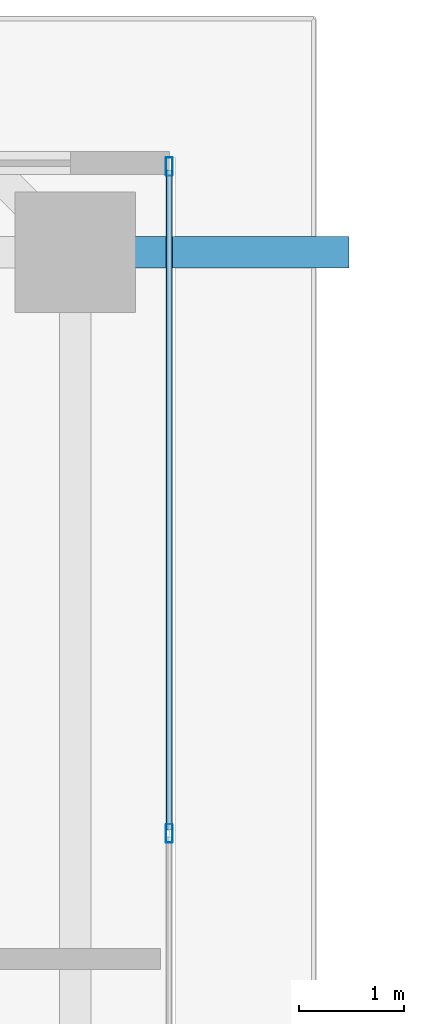
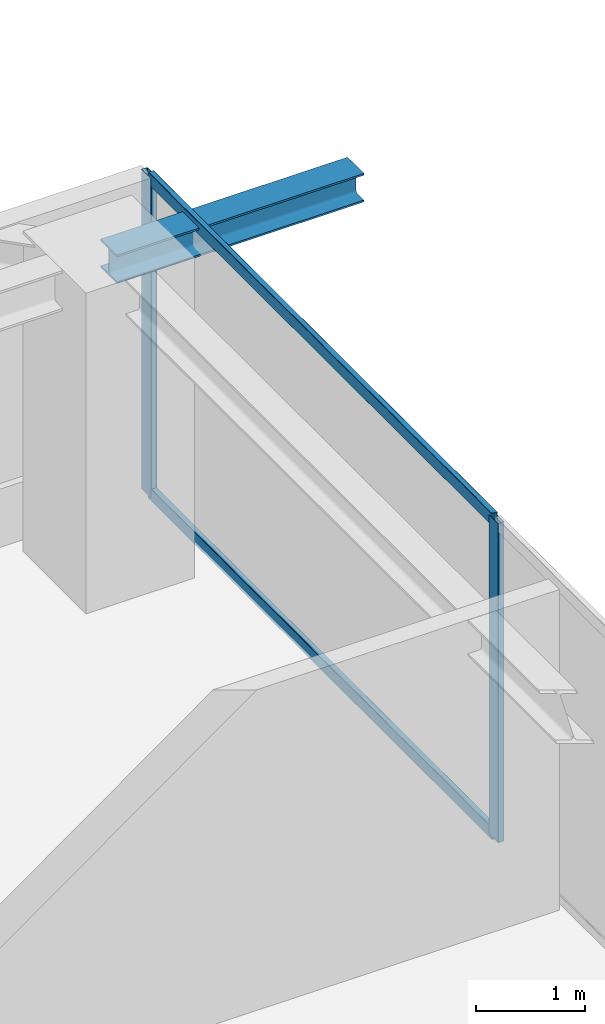
# One storey, part 22 of 36: 4 members, 1 beam, 1 element without a shape of its own.
"""IFC4 building model written with IfcOpenShell, lengths in metres."""

from ifc_helpers import new_model, si_unit, direction, frame, origin, origin_2d, place, context, subcontext, project, spatial, hollow_rectangle, i_section, extrude, source, transform, mapped, material, layer, layer_set, material_profile, profile_set, type_object, element, aggregate, save


model = new_model("IFC4")

# Units and contexts
model_context = context("Model", 3, precision=1e-05, world=origin(), true_north=direction((0.0, 1.0)))
body_context = subcontext(model_context, "Body", "Model", "MODEL_VIEW")
ifc_project = project(units=[si_unit("LENGTHUNIT", "METRE"), si_unit("AREAUNIT", "SQUARE_METRE"), si_unit("VOLUMEUNIT", "CUBIC_METRE"), si_unit("PLANEANGLEUNIT", "RADIAN"), si_unit("MASSUNIT", "GRAM", prefix="KILO")], contexts=[model_context])

# Site, building, storey
site_placement = place(None, origin())
site = spatial("IfcSite", under=ifc_project, at=site_placement, CompositionType="ELEMENT")
building_placement = place(site_placement, origin())
building = spatial("IfcBuilding", under=site, at=building_placement, Name="Serunith Strait Residences", CompositionType="ELEMENT")
storey_placement = place(building_placement, frame((0.0, 0.0, 272.050048828125)))
storey = spatial("IfcBuildingStorey", under=building, at=storey_placement, Name="L68", CompositionType="ELEMENT", Elevation=272.050048828125)

# Beam
ifc_material_1 = material(Name="Steel S355J2", Category="steel")
ifc_material_profile_1 = material_profile(ifc_material_1, i_section(OverallWidth=0.300048828125, OverallDepth=0.320068359375, WebThickness=0.011474609375, FlangeThickness=0.0205078125, FilletRadius=0.027099609375, at=origin_2d()), Name="HEB 320")
ifc_profile_set_1 = profile_set([ifc_material_profile_1], Name="Steel S355J2")
beam_type = type_object("IfcBeamType", Name="BM-HEB320", PredefinedType="BEAM", material=ifc_profile_set_1)
shared_shape_1 = source(origin(), body_context, "Body", "SweptSolid", [
    extrude(i_section(OverallWidth=0.300048828125, OverallDepth=0.320068359375, WebThickness=0.011474609375, FlangeThickness=0.0205078125, FilletRadius=0.027099609375, at=origin_2d()), origin(), (0.0, 0.0, 1.0), 2.615478515625),
])
beam_placement = place(storey_placement, frame((56.5, 40.35009765625, 3.39697265625), z_axis=(1.0, 0.0, 0.0), x_axis=(0.0, 1.0, 0.0)))
element("IfcBeam", 1, at=beam_placement, inside=storey, type_object=beam_type, Name="L69 Cantilevered Balcony Rib TC-E4", PredefinedType="BEAM", context=body_context, shape_type="MappedRepresentation", body=[
    mapped(shared_shape_1, transform((0.0, 0.0, 0.0), scale=1.0)),
])

# Curtain wall, members
ifc_material_2 = material(Name="Pale-Champagne Anodised Aluminium", Category="aluminium")
ifc_layer = layer(ifc_material_2, 0.199951171875, Name="Pale-Champagne Anodised Aluminium")
ifc_layer_set = layer_set([ifc_layer], Name="Pale-Champagne Anodised Aluminium")
curtain_wall_type = type_object("IfcCurtainWallType", Name="CW-SYS4", PredefinedType="NOTDEFINED", material=ifc_layer_set)
curtain_wall_placement = place(storey_placement, origin())
curtain_wall = element("IfcCurtainWall", 2, at=curtain_wall_placement, inside=storey, type_object=curtain_wall_type, Name="L68 E Unitised Fritted Curtain Wall", PredefinedType="NOTDEFINED")
ifc_material_profile_2 = material_profile(ifc_material_2, hollow_rectangle(XDim=0.06494140625, YDim=0.179931640625, WallThickness=0.00341796875, InnerFilletRadius=0.00537109375, OuterFilletRadius=0.0087890625, at=origin_2d()), Name="ALU 180x65x3.5")
ifc_profile_set_2 = profile_set([ifc_material_profile_2], Name="Pale-Champagne Anodised Aluminium")
member_type_1 = type_object("IfcMemberType", Name="CW-SYS4-MULL", PredefinedType="MULLION", material=ifc_profile_set_2)
shared_shape_2 = source(origin(), body_context, "Body", "SweptSolid", [
    extrude(hollow_rectangle(XDim=0.06494140625, YDim=0.179931640625, WallThickness=0.00341796875, InnerFilletRadius=0.00537109375, OuterFilletRadius=0.0087890625, at=origin_2d()), origin(), (0.0, 0.0, 1.0), 3.574951171875),
])
member_1_placement = place(storey_placement, frame((57.39990234375, 34.800048828125, 0.0), z_axis=(0.0, 0.0, 1.0), x_axis=(-1.0, 0.0, 0.0)))
member_1 = element("IfcMember", 3, at=member_1_placement, type_object=member_type_1, Name="CW-4 mullion 5", PredefinedType="MULLION", context=body_context, shape_type="MappedRepresentation", body=[
    mapped(shared_shape_2, transform((0.0, 0.0, 0.0), scale=1.0)),
])
member_2_placement = place(storey_placement, frame((57.39990234375, 41.16748046875, 0.0), z_axis=(0.0, 0.0, 1.0), x_axis=(-1.0, 0.0, 0.0)))
member_2 = element("IfcMember", 4, at=member_2_placement, type_object=member_type_1, Name="CW-4 mullion 6", PredefinedType="MULLION", context=body_context, shape_type="MappedRepresentation", body=[
    mapped(shared_shape_2, transform((0.0, 0.0, 0.0), scale=1.0)),
])
ifc_material_profile_3 = material_profile(ifc_material_2, hollow_rectangle(XDim=0.06005859375, YDim=0.139892578125, WallThickness=0.00341796875, InnerFilletRadius=0.00537109375, OuterFilletRadius=0.0087890625, at=origin_2d()), Name="ALU 140x60x3.5")
ifc_profile_set_3 = profile_set([ifc_material_profile_3], Name="Pale-Champagne Anodised Aluminium")
member_type_2 = type_object("IfcMemberType", Name="CW-SYS4-TRAN", PredefinedType="USERDEFINED", material=ifc_profile_set_3)
shared_shape_3 = source(origin(), body_context, "Body", "SweptSolid", [
    extrude(hollow_rectangle(XDim=0.06005859375, YDim=0.139892578125, WallThickness=0.00341796875, InnerFilletRadius=0.00537109375, OuterFilletRadius=0.0087890625, at=origin_2d()), origin(), (0.0, 0.0, 1.0), 6.302490234375),
])
member_3_placement = place(storey_placement, frame((57.39990234375, 34.83251953125, 0.030029296875), z_axis=(0.0, 1.0, 0.0), x_axis=(-1.0, 0.0, 0.0)))
member_3 = element("IfcMember", 5, at=member_3_placement, type_object=member_type_2, Name="CW-4 transom 5.1", ObjectType="TRANSOM", PredefinedType="USERDEFINED", context=body_context, shape_type="MappedRepresentation", body=[
    mapped(shared_shape_3, transform((0.0, 0.0, 0.0), scale=1.0)),
])
member_4_placement = place(storey_placement, frame((57.39990234375, 34.83251953125, 3.544921875), z_axis=(0.0, 1.0, 0.0), x_axis=(-1.0, 0.0, 0.0)))
member_4 = element("IfcMember", 6, at=member_4_placement, type_object=member_type_2, Name="CW-4 transom 5.2", ObjectType="TRANSOM", PredefinedType="USERDEFINED", context=body_context, shape_type="MappedRepresentation", body=[
    mapped(shared_shape_3, transform((0.0, 0.0, 0.0), scale=1.0)),
])
aggregate(curtain_wall, [member_1, member_2, member_3, member_4])

save(model, "model.ifc")
